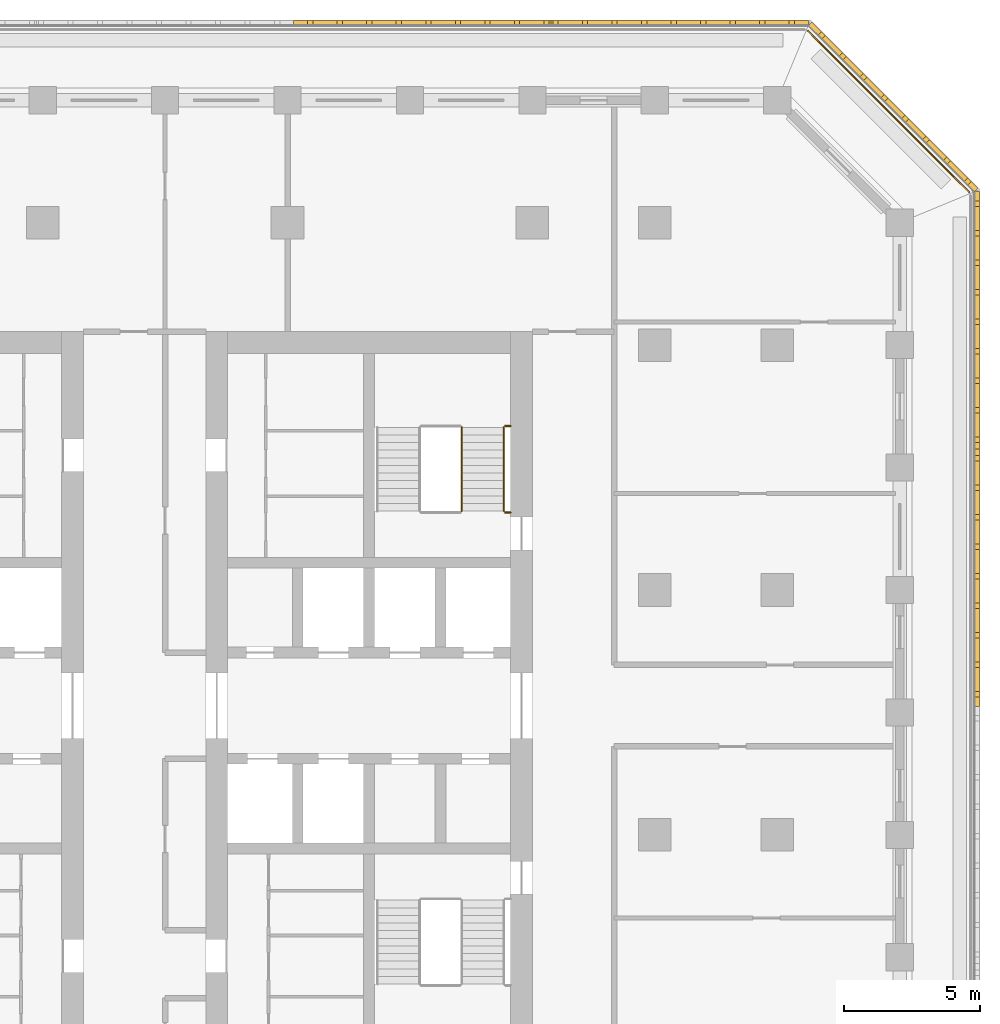
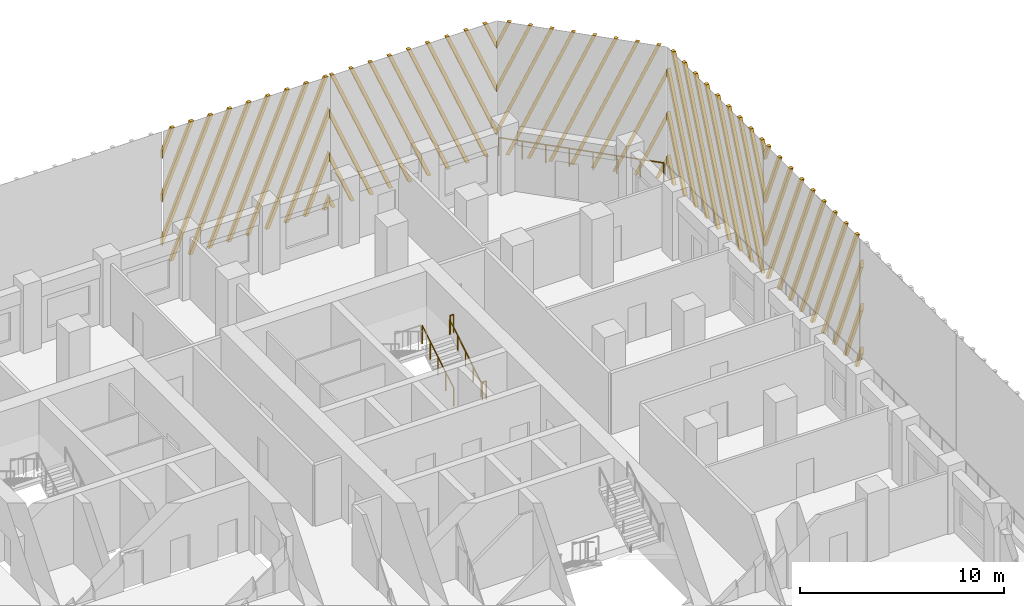
# One storey, part 16 of 17: 5 railings, 5 shading devices.
"""IFC4 building model written with IfcOpenShell, lengths in metres."""

from ifc_helpers import new_model, si_unit, direction, frame, origin, origin_2d, place, context, subcontext, project, spatial, polyline, circle, outline, extrude, source, transform, mapped, material, type_object, element, save


model = new_model("IFC4")

# Units and contexts
model_context = context("Model", 3, precision=1e-05, world=origin(), true_north=direction((0.0, 1.0)))
body_context = subcontext(model_context, "Body", "Model", "MODEL_VIEW")
ifc_project = project(units=[si_unit("LENGTHUNIT", "METRE"), si_unit("AREAUNIT", "SQUARE_METRE"), si_unit("VOLUMEUNIT", "CUBIC_METRE"), si_unit("PLANEANGLEUNIT", "RADIAN"), si_unit("MASSUNIT", "GRAM", prefix="KILO")], contexts=[model_context])

# Site, building, storey
site_placement = place(None, origin())
site = spatial("IfcSite", under=ifc_project, at=site_placement, CompositionType="ELEMENT")
building_placement = place(site_placement, origin())
building = spatial("IfcBuilding", under=site, at=building_placement, Name="Corbel Stack Research Tower", CompositionType="ELEMENT")
storey_placement = place(building_placement, frame((0.0, 0.0, 207.89990234375)))
storey = spatial("IfcBuildingStorey", under=building, at=storey_placement, Name="L47", CompositionType="ELEMENT", Elevation=207.89990234375)

# Railings
ifc_material_1 = material(Name="Steel S355", Category="steel")
railing_type_1 = type_object("IfcRailingType", Name="Stair guard 1100", PredefinedType="GUARDRAIL", material=ifc_material_1)
railing_1_placement = place(storey_placement, frame((15.39990234375, 11.89990234375, 0.1708984375)))
element("IfcRailing", 1, at=railing_1_placement, inside=storey, type_object=railing_type_1, Name="L47 ST-E2 stair guard 1", PredefinedType="GUARDRAIL", context=body_context, shape_type="SweptSolid", body=[
    extrude(circle(Radius=0.02392578125, at=origin_2d()), frame((0.0, 0.0, 1.076171875), z_axis=(0.0, 0.853666305674, 0.52082035152), x_axis=(-1.0, 0.0, 0.0)), (0.0, 0.0, 1.0), 3.608154296875),
    extrude(circle(Radius=0.02099609375, at=origin_2d()), origin(), (0.0, 0.0, 1.0), 1.052001953125),
    extrude(circle(Radius=0.02099609375, at=origin_2d()), frame((0.0, 0.77001953125, 0.4697265625)), (0.0, 0.0, 1.0), 1.052001953125),
    extrude(circle(Radius=0.02099609375, at=origin_2d()), frame((0.0, 1.5400390625, 0.939453125)), (0.0, 0.0, 1.0), 1.052001953125),
    extrude(circle(Radius=0.02099609375, at=origin_2d()), frame((0.0, 2.31005859375, 1.409423828125)), (0.0, 0.0, 1.0), 1.052001953125),
    extrude(circle(Radius=0.02099609375, at=origin_2d()), frame((0.0, 3.080078125, 1.879150390625)), (0.0, 0.0, 1.0), 1.052001953125),
])
for number, where, name in (
    (2, (17.199951171875, 15.030029296875, 2.050048828125), "L47 ST-E2 stair guard 3"),
    (3, (17.199951171875, 11.85009765625, 0.0), "L47 ST-E2 stair guard 6"),
):
    element("IfcRailing", number, at=place(storey_placement, frame(where)), inside=storey, type_object=railing_type_1, Name=name, PredefinedType="GUARDRAIL", context=body_context, shape_type="SweptSolid", body=[
        extrude(circle(Radius=0.02392578125, at=origin_2d()), frame((0.0, 0.0, 1.076171875), z_axis=(-1.0, 0.0, 0.0), x_axis=(0.0, -1.0, 0.0)), (0.0, 0.0, 1.0), 0.199951171875),
        extrude(circle(Radius=0.02099609375, at=origin_2d()), origin(), (0.0, 0.0, 1.0), 1.052001953125),
        extrude(circle(Radius=0.02099609375, at=origin_2d()), frame((-0.199951171875, 0.0, 0.0)), (0.0, 0.0, 1.0), 1.052001953125),
    ])
ifc_material_2 = material(Name="Steel S355", Category="steel")
railing_type_2 = type_object("IfcRailingType", Name="Stair handrail 900", PredefinedType="HANDRAIL", material=ifc_material_2)
railing_2_placement = place(storey_placement, frame((16.949951171875, 11.89990234375, 0.1708984375)))
element("IfcRailing", 4, at=railing_2_placement, inside=storey, type_object=railing_type_2, Name="L47 ST-E2 stair handrail 1", PredefinedType="HANDRAIL", context=body_context, shape_type="SweptSolid", body=[
    extrude(circle(Radius=0.02392578125, at=origin_2d()), frame((0.0, 0.0, 0.8759765625), z_axis=(0.0, 0.853666305674, 0.52082035152), x_axis=(-1.0, 0.0, 0.0)), (0.0, 0.0, 1.0), 3.608154296875),
    extrude(circle(Radius=0.02099609375, at=origin_2d()), origin(), (0.0, 0.0, 1.0), 0.851806640625),
    extrude(circle(Radius=0.02099609375, at=origin_2d()), frame((0.0, 0.77001953125, 0.4697265625)), (0.0, 0.0, 1.0), 0.851806640625),
    extrude(circle(Radius=0.02099609375, at=origin_2d()), frame((0.0, 1.5400390625, 0.939453125)), (0.0, 0.0, 1.0), 0.851806640625),
    extrude(circle(Radius=0.02099609375, at=origin_2d()), frame((0.0, 2.31005859375, 1.409423828125)), (0.0, 0.0, 1.0), 0.851806640625),
    extrude(circle(Radius=0.02099609375, at=origin_2d()), frame((0.0, 3.080078125, 1.879150390625)), (0.0, 0.0, 1.0), 0.851806640625),
])
ifc_material_3 = material(Name="Powder-coated steel guard", Category="steel")
railing_type_3 = type_object("IfcRailingType", Name="Steel and glass guard 1100", PredefinedType="GUARDRAIL", material=ifc_material_3)
railing_3_placement = place(storey_placement, frame((34.04931640625, 23.627685546875, 0.0)))
element("IfcRailing", 5, at=railing_3_placement, inside=storey, type_object=railing_type_3, Name="Loggia guard L47 NE", PredefinedType="GUARDRAIL", context=body_context, shape_type="SweptSolid", body=[
    extrude(circle(Radius=0.02392578125, at=origin_2d()), frame((0.0, 0.0, 1.076171875), z_axis=(-0.707106781187, 0.707106781187, 0.0), x_axis=(-0.707106781187, -0.707106781187, 0.0)), (0.0, 0.0, 1.0), 8.37451171875),
    extrude(circle(Radius=0.02099609375, at=origin_2d()), origin(), (0.0, 0.0, 1.0), 1.052001953125),
    extrude(circle(Radius=0.02099609375, at=origin_2d()), frame((-0.845947265625, 0.845947265625, 0.0)), (0.0, 0.0, 1.0), 1.052001953125),
    extrude(circle(Radius=0.02099609375, at=origin_2d()), frame((-1.69189453125, 1.69189453125, 0.0)), (0.0, 0.0, 1.0), 1.052001953125),
    extrude(circle(Radius=0.02099609375, at=origin_2d()), frame((-2.537841796875, 2.537841796875, 0.0)), (0.0, 0.0, 1.0), 1.052001953125),
    extrude(circle(Radius=0.02099609375, at=origin_2d()), frame((-3.3837890625, 3.3837890625, 0.0)), (0.0, 0.0, 1.0), 1.052001953125),
    extrude(circle(Radius=0.02099609375, at=origin_2d()), frame((-4.229736328125, 4.229736328125, 0.0)), (0.0, 0.0, 1.0), 1.052001953125),
    extrude(circle(Radius=0.02099609375, at=origin_2d()), frame((-5.07568359375, 5.07568359375, 0.0)), (0.0, 0.0, 1.0), 1.052001953125),
    extrude(circle(Radius=0.02099609375, at=origin_2d()), frame((-5.921630859375, 5.921630859375, 0.0)), (0.0, 0.0, 1.0), 1.052001953125),
])

# Shading devices
ifc_material_4 = material(Name="Precast terracotta", Category="masonry")
shading_device_type = type_object("IfcShadingDeviceType", Name="Terracotta screen panel", PredefinedType="USERDEFINED", material=ifc_material_4)
shared_shape_1 = source(origin(), body_context, "Body", "SweptSolid", [
    extrude(outline(polyline([(0.432373046875, 7.949951171875), (0.2421875, 7.949951171875), (0.0, 7.36962890625), (0.0, 6.914794921875), (0.432373046875, 7.949951171875)])), frame((0.0, 0.0, 0.0), z_axis=(0.0, -1.0, 0.0), x_axis=(1.0, 0.0, 0.0)), (0.0, 0.0, 1.0), 0.179931640625),
    extrude(outline(polyline([(1.51708984375, 7.949951171875), (1.326904296875, 7.949951171875), (0.0, 4.7724609375), (0.0, 4.317626953125), (1.51708984375, 7.949951171875)])), frame((0.0, 0.0, 0.0), z_axis=(0.0, -1.0, 0.0), x_axis=(1.0, 0.0, 0.0)), (0.0, 0.0, 1.0), 0.179931640625),
    extrude(outline(polyline([(2.601806640625, 7.949951171875), (2.41162109375, 7.949951171875), (0.0, 2.17529296875), (0.0, 1.720458984375), (2.601806640625, 7.949951171875)])), frame((0.0, 0.0, 0.0), z_axis=(0.0, -1.0, 0.0), x_axis=(1.0, 0.0, 0.0)), (0.0, 0.0, 1.0), 0.179931640625),
    extrude(outline(polyline([(0.3662109375, 0.0), (3.686279296875, 7.949951171875), (3.496337890625, 7.949951171875), (0.17626953125, 0.0), (0.3662109375, 0.0)])), frame((0.0, 0.0, 0.0), z_axis=(0.0, -1.0, 0.0), x_axis=(1.0, 0.0, 0.0)), (0.0, 0.0, 1.0), 0.179931640625),
    extrude(outline(polyline([(1.45068359375, 0.0), (4.77099609375, 7.949951171875), (4.5810546875, 7.949951171875), (1.2607421875, 0.0), (1.45068359375, 0.0)])), frame((0.0, 0.0, 0.0), z_axis=(0.0, -1.0, 0.0), x_axis=(1.0, 0.0, 0.0)), (0.0, 0.0, 1.0), 0.179931640625),
    extrude(outline(polyline([(2.535400390625, 0.0), (5.855712890625, 7.949951171875), (5.665771484375, 7.949951171875), (2.345458984375, 0.0), (2.535400390625, 0.0)])), frame((0.0, 0.0, 0.0), z_axis=(0.0, -1.0, 0.0), x_axis=(1.0, 0.0, 0.0)), (0.0, 0.0, 1.0), 0.179931640625),
    extrude(outline(polyline([(3.6201171875, 0.0), (6.940185546875, 7.949951171875), (6.750244140625, 7.949951171875), (3.43017578125, 0.0), (3.6201171875, 0.0)])), frame((0.0, 0.0, 0.0), z_axis=(0.0, -1.0, 0.0), x_axis=(1.0, 0.0, 0.0)), (0.0, 0.0, 1.0), 0.179931640625),
    extrude(outline(polyline([(4.704833984375, 0.0), (8.02490234375, 7.949951171875), (7.8349609375, 7.949951171875), (4.514892578125, 0.0), (4.704833984375, 0.0)])), frame((0.0, 0.0, 0.0), z_axis=(0.0, -1.0, 0.0), x_axis=(1.0, 0.0, 0.0)), (0.0, 0.0, 1.0), 0.179931640625),
    extrude(outline(polyline([(5.78955078125, 0.0), (9.109619140625, 7.949951171875), (8.919677734375, 7.949951171875), (5.599609375, 0.0), (5.78955078125, 0.0)])), frame((0.0, 0.0, 0.0), z_axis=(0.0, -1.0, 0.0), x_axis=(1.0, 0.0, 0.0)), (0.0, 0.0, 1.0), 0.179931640625),
    extrude(outline(polyline([(6.874267578125, 0.0), (9.45556640625, 6.18115234375), (9.45556640625, 6.63623046875), (6.68408203125, 0.0), (6.874267578125, 0.0)])), frame((0.0, 0.0, 0.0), z_axis=(0.0, -1.0, 0.0), x_axis=(1.0, 0.0, 0.0)), (0.0, 0.0, 1.0), 0.179931640625),
    extrude(outline(polyline([(7.958740234375, 0.0), (9.45556640625, 3.583984375), (9.45556640625, 4.0390625), (7.768798828125, 0.0), (7.958740234375, 0.0)])), frame((0.0, 0.0, 0.0), z_axis=(0.0, -1.0, 0.0), x_axis=(1.0, 0.0, 0.0)), (0.0, 0.0, 1.0), 0.179931640625),
    extrude(outline(polyline([(9.04345703125, 0.0), (9.45556640625, 0.98681640625), (9.45556640625, 1.44189453125), (8.853515625, 0.0), (9.04345703125, 0.0)])), frame((0.0, 0.0, 0.0), z_axis=(0.0, -1.0, 0.0), x_axis=(1.0, 0.0, 0.0)), (0.0, 0.0, 1.0), 0.179931640625),
])
shading_device_1_placement = place(storey_placement, frame((34.25, 14.18359375, 0.0), z_axis=(0.0, 0.0, 1.0), x_axis=(0.0, 1.0, 0.0)))
element("IfcShadingDevice", 6, at=shading_device_1_placement, inside=storey, type_object=shading_device_type, Name="Terracotta screen L47 E5", ObjectType="SCREEN", PredefinedType="USERDEFINED", context=body_context, shape_type="MappedRepresentation", body=[
    mapped(shared_shape_1, transform((0.0, 0.0, 0.0))),
])
shared_shape_2 = source(origin(), body_context, "Body", "SweptSolid", [
    extrude(outline(polyline([(0.60205078125, 0.0), (0.0, 1.44189453125), (0.0, 0.98681640625), (0.412109375, 0.0), (0.60205078125, 0.0)])), frame((0.0, 0.0, 0.0), z_axis=(0.0, -1.0, 0.0), x_axis=(1.0, 0.0, 0.0)), (0.0, 0.0, 1.0), 0.179931640625),
    extrude(outline(polyline([(1.686767578125, 0.0), (0.0, 4.0390625), (0.0, 3.583984375), (1.496826171875, 0.0), (1.686767578125, 0.0)])), frame((0.0, 0.0, 0.0), z_axis=(0.0, -1.0, 0.0), x_axis=(1.0, 0.0, 0.0)), (0.0, 0.0, 1.0), 0.179931640625),
    extrude(outline(polyline([(2.771484375, 0.0), (0.0, 6.63623046875), (0.0, 6.18115234375), (2.58154296875, 0.0), (2.771484375, 0.0)])), frame((0.0, 0.0, 0.0), z_axis=(0.0, -1.0, 0.0), x_axis=(1.0, 0.0, 0.0)), (0.0, 0.0, 1.0), 0.179931640625),
    extrude(outline(polyline([(3.856201171875, 0.0), (0.535888671875, 7.949951171875), (0.345947265625, 7.949951171875), (3.666015625, 0.0), (3.856201171875, 0.0)])), frame((0.0, 0.0, 0.0), z_axis=(0.0, -1.0, 0.0), x_axis=(1.0, 0.0, 0.0)), (0.0, 0.0, 1.0), 0.179931640625),
    extrude(outline(polyline([(4.94091796875, 0.0), (1.62060546875, 7.949951171875), (1.4306640625, 7.949951171875), (4.750732421875, 0.0), (4.94091796875, 0.0)])), frame((0.0, 0.0, 0.0), z_axis=(0.0, -1.0, 0.0), x_axis=(1.0, 0.0, 0.0)), (0.0, 0.0, 1.0), 0.179931640625),
    extrude(outline(polyline([(6.025390625, 0.0), (2.705322265625, 7.949951171875), (2.515380859375, 7.949951171875), (5.83544921875, 0.0), (6.025390625, 0.0)])), frame((0.0, 0.0, 0.0), z_axis=(0.0, -1.0, 0.0), x_axis=(1.0, 0.0, 0.0)), (0.0, 0.0, 1.0), 0.179931640625),
    extrude(outline(polyline([(7.110107421875, 0.0), (3.7900390625, 7.949951171875), (3.60009765625, 7.949951171875), (6.920166015625, 0.0), (7.110107421875, 0.0)])), frame((0.0, 0.0, 0.0), z_axis=(0.0, -1.0, 0.0), x_axis=(1.0, 0.0, 0.0)), (0.0, 0.0, 1.0), 0.179931640625),
    extrude(outline(polyline([(8.19482421875, 0.0), (4.87451171875, 7.949951171875), (4.6845703125, 7.949951171875), (8.0048828125, 0.0), (8.19482421875, 0.0)])), frame((0.0, 0.0, 0.0), z_axis=(0.0, -1.0, 0.0), x_axis=(1.0, 0.0, 0.0)), (0.0, 0.0, 1.0), 0.179931640625),
    extrude(outline(polyline([(9.279541015625, 0.0), (5.959228515625, 7.949951171875), (5.769287109375, 7.949951171875), (9.089599609375, 0.0), (9.279541015625, 0.0)])), frame((0.0, 0.0, 0.0), z_axis=(0.0, -1.0, 0.0), x_axis=(1.0, 0.0, 0.0)), (0.0, 0.0, 1.0), 0.179931640625),
    extrude(outline(polyline([(7.0439453125, 7.949951171875), (6.85400390625, 7.949951171875), (9.45556640625, 1.720458984375), (9.45556640625, 2.17529296875), (7.0439453125, 7.949951171875)])), frame((0.0, 0.0, 0.0), z_axis=(0.0, -1.0, 0.0), x_axis=(1.0, 0.0, 0.0)), (0.0, 0.0, 1.0), 0.179931640625),
    extrude(outline(polyline([(8.128662109375, 7.949951171875), (7.938720703125, 7.949951171875), (9.45556640625, 4.317626953125), (9.45556640625, 4.7724609375), (8.128662109375, 7.949951171875)])), frame((0.0, 0.0, 0.0), z_axis=(0.0, -1.0, 0.0), x_axis=(1.0, 0.0, 0.0)), (0.0, 0.0, 1.0), 0.179931640625),
    extrude(outline(polyline([(9.21337890625, 7.949951171875), (9.023193359375, 7.949951171875), (9.45556640625, 6.914794921875), (9.45556640625, 7.36962890625), (9.21337890625, 7.949951171875)])), frame((0.0, 0.0, 0.0), z_axis=(0.0, -1.0, 0.0), x_axis=(1.0, 0.0, 0.0)), (0.0, 0.0, 1.0), 0.179931640625),
])
shading_device_2_placement = place(storey_placement, frame((34.25, 4.727783203125, 0.0), z_axis=(0.0, 0.0, 1.0), x_axis=(0.0, 1.0, 0.0)))
element("IfcShadingDevice", 7, at=shading_device_2_placement, inside=storey, type_object=shading_device_type, Name="Terracotta screen L47 E4", ObjectType="SCREEN", PredefinedType="USERDEFINED", context=body_context, shape_type="MappedRepresentation", body=[
    mapped(shared_shape_2, transform((0.0, 0.0, 0.0))),
])
shared_shape_3 = source(origin(), body_context, "Body", "SweptSolid", [
    extrude(outline(polyline([(0.60205078125, 0.0), (0.0, 1.44189453125), (0.0, 0.98681640625), (0.412109375, 0.0), (0.60205078125, 0.0)])), frame((0.0, 0.0, 0.0), z_axis=(0.0, -1.0, 0.0), x_axis=(1.0, 0.0, 0.0)), (0.0, 0.0, 1.0), 0.179931640625),
    extrude(outline(polyline([(1.686767578125, 0.0), (0.0, 4.0390625), (0.0, 3.583984375), (1.496826171875, 0.0), (1.686767578125, 0.0)])), frame((0.0, 0.0, 0.0), z_axis=(0.0, -1.0, 0.0), x_axis=(1.0, 0.0, 0.0)), (0.0, 0.0, 1.0), 0.179931640625),
    extrude(outline(polyline([(2.771484375, 0.0), (0.0, 6.63623046875), (0.0, 6.18115234375), (2.58154296875, 0.0), (2.771484375, 0.0)])), frame((0.0, 0.0, 0.0), z_axis=(0.0, -1.0, 0.0), x_axis=(1.0, 0.0, 0.0)), (0.0, 0.0, 1.0), 0.179931640625),
    extrude(outline(polyline([(3.856201171875, 0.0), (0.535888671875, 7.949951171875), (0.345947265625, 7.949951171875), (3.666015625, 0.0), (3.856201171875, 0.0)])), frame((0.0, 0.0, 0.0), z_axis=(0.0, -1.0, 0.0), x_axis=(1.0, 0.0, 0.0)), (0.0, 0.0, 1.0), 0.179931640625),
    extrude(outline(polyline([(4.94091796875, 0.0), (1.62060546875, 7.949951171875), (1.4306640625, 7.949951171875), (4.750732421875, 0.0), (4.94091796875, 0.0)])), frame((0.0, 0.0, 0.0), z_axis=(0.0, -1.0, 0.0), x_axis=(1.0, 0.0, 0.0)), (0.0, 0.0, 1.0), 0.179931640625),
    extrude(outline(polyline([(6.025390625, 0.0), (2.705322265625, 7.949951171875), (2.515380859375, 7.949951171875), (5.83544921875, 0.0), (6.025390625, 0.0)])), frame((0.0, 0.0, 0.0), z_axis=(0.0, -1.0, 0.0), x_axis=(1.0, 0.0, 0.0)), (0.0, 0.0, 1.0), 0.179931640625),
    extrude(outline(polyline([(7.110107421875, 0.0), (3.7900390625, 7.949951171875), (3.60009765625, 7.949951171875), (6.920166015625, 0.0), (7.110107421875, 0.0)])), frame((0.0, 0.0, 0.0), z_axis=(0.0, -1.0, 0.0), x_axis=(1.0, 0.0, 0.0)), (0.0, 0.0, 1.0), 0.179931640625),
    extrude(outline(polyline([(8.19482421875, 0.0), (4.87451171875, 7.949951171875), (4.6845703125, 7.949951171875), (8.0048828125, 0.0), (8.19482421875, 0.0)])), frame((0.0, 0.0, 0.0), z_axis=(0.0, -1.0, 0.0), x_axis=(1.0, 0.0, 0.0)), (0.0, 0.0, 1.0), 0.179931640625),
    extrude(outline(polyline([(5.959228515625, 7.949951171875), (5.769287109375, 7.949951171875), (8.64208984375, 1.071044921875), (8.64208984375, 1.526123046875), (5.959228515625, 7.949951171875)])), frame((0.0, 0.0, 0.0), z_axis=(0.0, -1.0, 0.0), x_axis=(1.0, 0.0, 0.0)), (0.0, 0.0, 1.0), 0.179931640625),
    extrude(outline(polyline([(7.0439453125, 7.949951171875), (6.85400390625, 7.949951171875), (8.64208984375, 3.668212890625), (8.64208984375, 4.123291015625), (7.0439453125, 7.949951171875)])), frame((0.0, 0.0, 0.0), z_axis=(0.0, -1.0, 0.0), x_axis=(1.0, 0.0, 0.0)), (0.0, 0.0, 1.0), 0.179931640625),
    extrude(outline(polyline([(8.128662109375, 7.949951171875), (7.938720703125, 7.949951171875), (8.64208984375, 6.265380859375), (8.64208984375, 6.720458984375), (8.128662109375, 7.949951171875)])), frame((0.0, 0.0, 0.0), z_axis=(0.0, -1.0, 0.0), x_axis=(1.0, 0.0, 0.0)), (0.0, 0.0, 1.0), 0.179931640625),
])
shading_device_3_placement = place(storey_placement, frame((34.25, 23.63916015625, 0.0), z_axis=(0.0, 0.0, 1.0), x_axis=(-0.707106781187, 0.707106781187, 0.0)))
element("IfcShadingDevice", 8, at=shading_device_3_placement, inside=storey, type_object=shading_device_type, Name="Terracotta screen L47 NE1", ObjectType="SCREEN", PredefinedType="USERDEFINED", context=body_context, shape_type="MappedRepresentation", body=[
    mapped(shared_shape_3, transform((0.0, 0.0, 0.0))),
])
shared_shape_4 = source(origin(), body_context, "Body", "SweptSolid", [
    extrude(outline(polyline([(0.70361328125, 7.949951171875), (0.513427734375, 7.949951171875), (0.0, 6.720458984375), (0.0, 6.265380859375), (0.70361328125, 7.949951171875)])), frame((0.0, 0.0, 0.0), z_axis=(0.0, -1.0, 0.0), x_axis=(1.0, 0.0, 0.0)), (0.0, 0.0, 1.0), 0.179931640625),
    extrude(outline(polyline([(1.7880859375, 7.949951171875), (1.59814453125, 7.949951171875), (0.0, 4.123291015625), (0.0, 3.668212890625), (1.7880859375, 7.949951171875)])), frame((0.0, 0.0, 0.0), z_axis=(0.0, -1.0, 0.0), x_axis=(1.0, 0.0, 0.0)), (0.0, 0.0, 1.0), 0.179931640625),
    extrude(outline(polyline([(2.872802734375, 7.949951171875), (2.682861328125, 7.949951171875), (0.0, 1.526123046875), (0.0, 1.071044921875), (2.872802734375, 7.949951171875)])), frame((0.0, 0.0, 0.0), z_axis=(0.0, -1.0, 0.0), x_axis=(1.0, 0.0, 0.0)), (0.0, 0.0, 1.0), 0.179931640625),
    extrude(outline(polyline([(0.63720703125, 0.0), (3.95751953125, 7.949951171875), (3.767578125, 7.949951171875), (0.447265625, 0.0), (0.63720703125, 0.0)])), frame((0.0, 0.0, 0.0), z_axis=(0.0, -1.0, 0.0), x_axis=(1.0, 0.0, 0.0)), (0.0, 0.0, 1.0), 0.179931640625),
    extrude(outline(polyline([(1.721923828125, 0.0), (5.042236328125, 7.949951171875), (4.852294921875, 7.949951171875), (1.531982421875, 0.0), (1.721923828125, 0.0)])), frame((0.0, 0.0, 0.0), z_axis=(0.0, -1.0, 0.0), x_axis=(1.0, 0.0, 0.0)), (0.0, 0.0, 1.0), 0.179931640625),
    extrude(outline(polyline([(2.806640625, 0.0), (6.126708984375, 7.949951171875), (5.936767578125, 7.949951171875), (2.61669921875, 0.0), (2.806640625, 0.0)])), frame((0.0, 0.0, 0.0), z_axis=(0.0, -1.0, 0.0), x_axis=(1.0, 0.0, 0.0)), (0.0, 0.0, 1.0), 0.179931640625),
    extrude(outline(polyline([(3.891357421875, 0.0), (7.21142578125, 7.949951171875), (7.021484375, 7.949951171875), (3.701416015625, 0.0), (3.891357421875, 0.0)])), frame((0.0, 0.0, 0.0), z_axis=(0.0, -1.0, 0.0), x_axis=(1.0, 0.0, 0.0)), (0.0, 0.0, 1.0), 0.179931640625),
    extrude(outline(polyline([(4.97607421875, 0.0), (8.296142578125, 7.949951171875), (8.106201171875, 7.949951171875), (4.785888671875, 0.0), (4.97607421875, 0.0)])), frame((0.0, 0.0, 0.0), z_axis=(0.0, -1.0, 0.0), x_axis=(1.0, 0.0, 0.0)), (0.0, 0.0, 1.0), 0.179931640625),
    extrude(outline(polyline([(6.060791015625, 0.0), (9.380859375, 7.949951171875), (9.19091796875, 7.949951171875), (5.87060546875, 0.0), (6.060791015625, 0.0)])), frame((0.0, 0.0, 0.0), z_axis=(0.0, -1.0, 0.0), x_axis=(1.0, 0.0, 0.0)), (0.0, 0.0, 1.0), 0.179931640625),
    extrude(outline(polyline([(7.145263671875, 0.0), (9.45556640625, 5.531982421875), (9.45556640625, 5.98681640625), (6.955322265625, 0.0), (7.145263671875, 0.0)])), frame((0.0, 0.0, 0.0), z_axis=(0.0, -1.0, 0.0), x_axis=(1.0, 0.0, 0.0)), (0.0, 0.0, 1.0), 0.179931640625),
    extrude(outline(polyline([(8.22998046875, 0.0), (9.45556640625, 2.934814453125), (9.45556640625, 3.3896484375), (8.0400390625, 0.0), (8.22998046875, 0.0)])), frame((0.0, 0.0, 0.0), z_axis=(0.0, -1.0, 0.0), x_axis=(1.0, 0.0, 0.0)), (0.0, 0.0, 1.0), 0.179931640625),
    extrude(outline(polyline([(9.314697265625, 0.0), (9.45556640625, 0.337646484375), (9.45556640625, 0.79248046875), (9.124755859375, 0.0), (9.314697265625, 0.0)])), frame((0.0, 0.0, 0.0), z_axis=(0.0, -1.0, 0.0), x_axis=(1.0, 0.0, 0.0)), (0.0, 0.0, 1.0), 0.179931640625),
])
shading_device_4_placement = place(storey_placement, frame((28.13916015625, 29.75, 0.0), z_axis=(0.0, 0.0, 1.0), x_axis=(-1.0, 0.0, 0.0)))
element("IfcShadingDevice", 9, at=shading_device_4_placement, inside=storey, type_object=shading_device_type, Name="Terracotta screen L47 N1", ObjectType="SCREEN", PredefinedType="USERDEFINED", context=body_context, shape_type="MappedRepresentation", body=[
    mapped(shared_shape_4, transform((0.0, 0.0, 0.0))),
])
shared_shape_5 = source(origin(), body_context, "Body", "SweptSolid", [
    extrude(outline(polyline([(0.3310546875, 0.0), (0.0, 0.79248046875), (0.0, 0.337646484375), (0.14111328125, 0.0), (0.3310546875, 0.0)])), frame((0.0, 0.0, 0.0), z_axis=(0.0, -1.0, 0.0), x_axis=(1.0, 0.0, 0.0)), (0.0, 0.0, 1.0), 0.179931640625),
    extrude(outline(polyline([(1.41552734375, 0.0), (0.0, 3.3896484375), (0.0, 2.934814453125), (1.2255859375, 0.0), (1.41552734375, 0.0)])), frame((0.0, 0.0, 0.0), z_axis=(0.0, -1.0, 0.0), x_axis=(1.0, 0.0, 0.0)), (0.0, 0.0, 1.0), 0.179931640625),
    extrude(outline(polyline([(2.500244140625, 0.0), (0.0, 5.98681640625), (0.0, 5.531982421875), (2.310302734375, 0.0), (2.500244140625, 0.0)])), frame((0.0, 0.0, 0.0), z_axis=(0.0, -1.0, 0.0), x_axis=(1.0, 0.0, 0.0)), (0.0, 0.0, 1.0), 0.179931640625),
    extrude(outline(polyline([(3.5849609375, 0.0), (0.264892578125, 7.949951171875), (0.07470703125, 7.949951171875), (3.39501953125, 0.0), (3.5849609375, 0.0)])), frame((0.0, 0.0, 0.0), z_axis=(0.0, -1.0, 0.0), x_axis=(1.0, 0.0, 0.0)), (0.0, 0.0, 1.0), 0.179931640625),
    extrude(outline(polyline([(4.669677734375, 0.0), (1.349609375, 7.949951171875), (1.159423828125, 7.949951171875), (4.4794921875, 0.0), (4.669677734375, 0.0)])), frame((0.0, 0.0, 0.0), z_axis=(0.0, -1.0, 0.0), x_axis=(1.0, 0.0, 0.0)), (0.0, 0.0, 1.0), 0.179931640625),
    extrude(outline(polyline([(5.75439453125, 0.0), (2.43408203125, 7.949951171875), (2.244140625, 7.949951171875), (5.564208984375, 0.0), (5.75439453125, 0.0)])), frame((0.0, 0.0, 0.0), z_axis=(0.0, -1.0, 0.0), x_axis=(1.0, 0.0, 0.0)), (0.0, 0.0, 1.0), 0.179931640625),
    extrude(outline(polyline([(6.839111328125, 0.0), (3.518798828125, 7.949951171875), (3.328857421875, 7.949951171875), (6.64892578125, 0.0), (6.839111328125, 0.0)])), frame((0.0, 0.0, 0.0), z_axis=(0.0, -1.0, 0.0), x_axis=(1.0, 0.0, 0.0)), (0.0, 0.0, 1.0), 0.179931640625),
    extrude(outline(polyline([(7.923583984375, 0.0), (4.603515625, 7.949951171875), (4.41357421875, 7.949951171875), (7.733642578125, 0.0), (7.923583984375, 0.0)])), frame((0.0, 0.0, 0.0), z_axis=(0.0, -1.0, 0.0), x_axis=(1.0, 0.0, 0.0)), (0.0, 0.0, 1.0), 0.179931640625),
    extrude(outline(polyline([(9.00830078125, 0.0), (5.68798828125, 7.949951171875), (5.498046875, 7.949951171875), (8.818359375, 0.0), (9.00830078125, 0.0)])), frame((0.0, 0.0, 0.0), z_axis=(0.0, -1.0, 0.0), x_axis=(1.0, 0.0, 0.0)), (0.0, 0.0, 1.0), 0.179931640625),
    extrude(outline(polyline([(6.772705078125, 7.949951171875), (6.582763671875, 7.949951171875), (9.45556640625, 1.071044921875), (9.45556640625, 1.526123046875), (6.772705078125, 7.949951171875)])), frame((0.0, 0.0, 0.0), z_axis=(0.0, -1.0, 0.0), x_axis=(1.0, 0.0, 0.0)), (0.0, 0.0, 1.0), 0.179931640625),
    extrude(outline(polyline([(7.857421875, 7.949951171875), (7.66748046875, 7.949951171875), (9.45556640625, 3.668212890625), (9.45556640625, 4.123291015625), (7.857421875, 7.949951171875)])), frame((0.0, 0.0, 0.0), z_axis=(0.0, -1.0, 0.0), x_axis=(1.0, 0.0, 0.0)), (0.0, 0.0, 1.0), 0.179931640625),
    extrude(outline(polyline([(8.942138671875, 7.949951171875), (8.752197265625, 7.949951171875), (9.45556640625, 6.265380859375), (9.45556640625, 6.720458984375), (8.942138671875, 7.949951171875)])), frame((0.0, 0.0, 0.0), z_axis=(0.0, -1.0, 0.0), x_axis=(1.0, 0.0, 0.0)), (0.0, 0.0, 1.0), 0.179931640625),
])
shading_device_5_placement = place(storey_placement, frame((18.68359375, 29.75, 0.0), z_axis=(0.0, 0.0, 1.0), x_axis=(-1.0, 0.0, 0.0)))
element("IfcShadingDevice", 10, at=shading_device_5_placement, inside=storey, type_object=shading_device_type, Name="Terracotta screen L47 N2", ObjectType="SCREEN", PredefinedType="USERDEFINED", context=body_context, shape_type="MappedRepresentation", body=[
    mapped(shared_shape_5, transform((0.0, 0.0, 0.0))),
])

save(model, "model.ifc")
